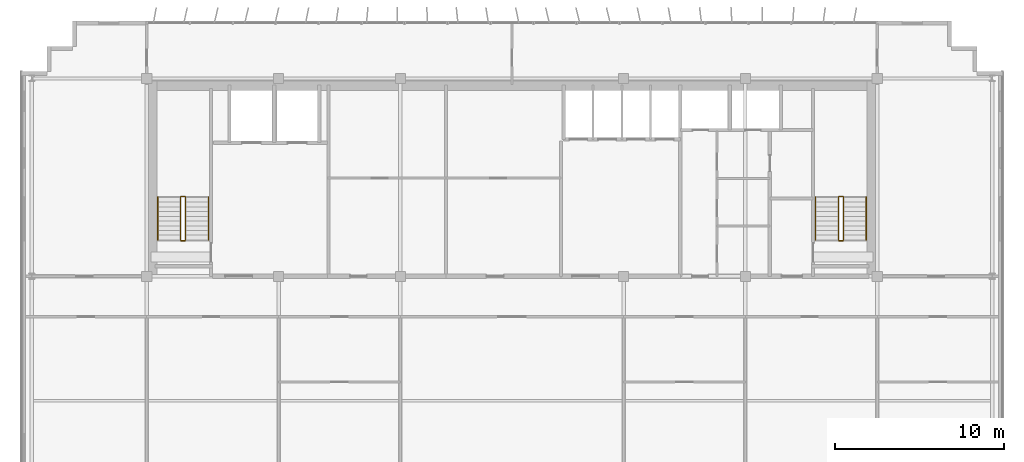
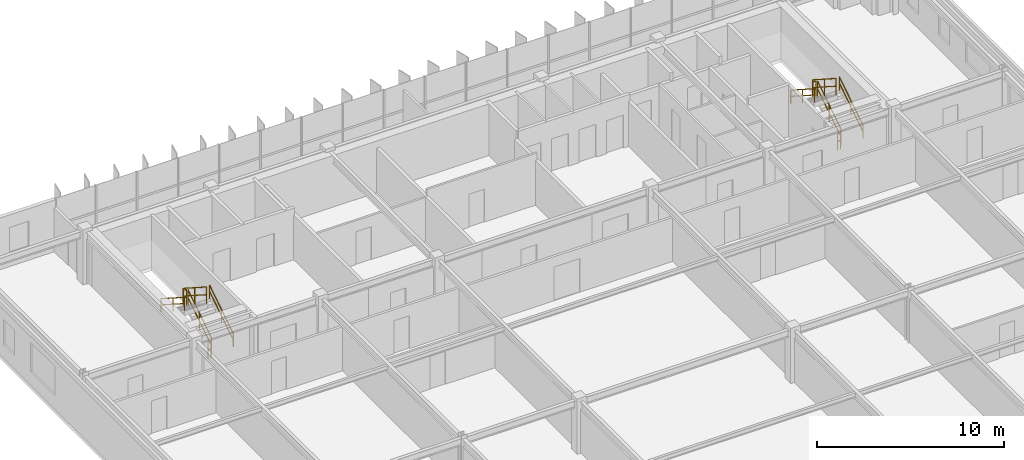
# One storey, part 21 of 21: 12 railings.
"""IFC4 building model written with IfcOpenShell, lengths in metres."""

from ifc_helpers import new_model, si_unit, direction, frame, origin, origin_2d, place, context, subcontext, project, spatial, rectangle, extrude, material, type_object, element, save


model = new_model("IFC4")

# Units and contexts
model_context = context("Model", 3, precision=1e-05, world=origin(), true_north=direction((0.0, 1.0)))
body_context = subcontext(model_context, "Body", "Model", "MODEL_VIEW")
ifc_project = project(units=[si_unit("LENGTHUNIT", "METRE"), si_unit("AREAUNIT", "SQUARE_METRE"), si_unit("VOLUMEUNIT", "CUBIC_METRE"), si_unit("PLANEANGLEUNIT", "RADIAN"), si_unit("MASSUNIT", "GRAM", prefix="KILO")], contexts=[model_context])

# Site, building, storey
site_placement = place(None, origin())
site = spatial("IfcSite", under=ifc_project, at=site_placement, CompositionType="ELEMENT")
building_placement = place(site_placement, origin())
building = spatial("IfcBuilding", under=site, at=building_placement, Name="Trelvane Seafront Commons", CompositionType="ELEMENT")
storey_placement = place(building_placement, frame((0.0, 0.0, 255.89990234375)))
storey = spatial("IfcBuildingStorey", under=building, at=storey_placement, Name="L66", CompositionType="ELEMENT", Elevation=255.89990234375)

# Railings
ifc_material = material(Name="Stainless steel balustrade", Category="steel")
railing_type_1 = type_object("IfcRailingType", Name="ARCH-SRL-GUARD", PredefinedType="GUARDRAIL", material=ifc_material)
railing_1_placement = place(storey_placement, frame((17.89990234375, 35.550048828125, 0.18017578125)))
element("IfcRailing", 1, at=railing_1_placement, inside=storey, type_object=railing_type_1, Name="L66 ST-1 stair guard 1", PredefinedType="GUARDRAIL", context=body_context, shape_type="SweptSolid", body=[
    extrude(rectangle(XDim=0.048095703125, YDim=0.048095703125, at=origin_2d()), frame((0.0, 0.0, 1.076171875), z_axis=(0.0, 0.841199657755, 0.540724639528), x_axis=(-1.0, 0.0, 0.0)), (0.0, 0.0, 1.0), 2.995849609375),
    extrude(rectangle(XDim=0.048095703125, YDim=0.048095703125, at=origin_2d()), frame((0.0, 0.0, 0.572021484375), z_axis=(0.0, 0.841199657755, 0.540724639528), x_axis=(-1.0, 0.0, 0.0)), (0.0, 0.0, 1.0), 2.995849609375),
    extrude(rectangle(XDim=0.0419921875, YDim=0.0419921875, at=origin_2d()), origin(), (0.0, 0.0, 1.0), 1.076171875),
    extrude(rectangle(XDim=0.0419921875, YDim=0.0419921875, at=origin_2d()), frame((0.0, 1.260009765625, 0.81005859375)), (0.0, 0.0, 1.0), 1.076171875),
    extrude(rectangle(XDim=0.0419921875, YDim=0.0419921875, at=origin_2d()), frame((0.0, 2.52001953125, 1.619873046875)), (0.0, 0.0, 1.0), 1.076171875),
])
railing_2_placement = place(storey_placement, frame((17.85009765625, 38.1201171875, 1.800048828125)))
element("IfcRailing", 2, at=railing_2_placement, inside=storey, type_object=railing_type_1, Name="L66 ST-1 stair guard 2", PredefinedType="GUARDRAIL", context=body_context, shape_type="SweptSolid", body=[
    extrude(rectangle(XDim=0.048095703125, YDim=0.048095703125, at=origin_2d()), frame((0.0, 0.0, 1.076171875), z_axis=(-1.0, 0.0, 0.0), x_axis=(0.0, -1.0, 0.0)), (0.0, 0.0, 1.0), 0.2001953125),
    extrude(rectangle(XDim=0.048095703125, YDim=0.048095703125, at=origin_2d()), frame((0.0, 0.0, 0.572021484375), z_axis=(-1.0, 0.0, 0.0), x_axis=(0.0, -1.0, 0.0)), (0.0, 0.0, 1.0), 0.2001953125),
    extrude(rectangle(XDim=0.0419921875, YDim=0.0419921875, at=origin_2d()), origin(), (0.0, 0.0, 1.0), 1.076171875),
    extrude(rectangle(XDim=0.0419921875, YDim=0.0419921875, at=origin_2d()), frame((-0.2001953125, 0.0, 0.0)), (0.0, 0.0, 1.0), 1.076171875),
])
railing_3_placement = place(storey_placement, frame((17.60009765625, 38.070068359375, 1.97998046875)))
element("IfcRailing", 3, at=railing_3_placement, inside=storey, type_object=railing_type_1, Name="L66 ST-1 stair guard 3", PredefinedType="GUARDRAIL", context=body_context, shape_type="SweptSolid", body=[
    extrude(rectangle(XDim=0.048095703125, YDim=0.048095703125, at=origin_2d()), frame((0.0, 0.0, 1.076171875), z_axis=(0.0, -0.841162588446, 0.540782303519), x_axis=(1.0, 0.0, 0.0)), (0.0, 0.0, 1.0), 2.995849609375),
    extrude(rectangle(XDim=0.048095703125, YDim=0.048095703125, at=origin_2d()), frame((0.0, 0.0, 0.572021484375), z_axis=(0.0, -0.841162588446, 0.540782303519), x_axis=(1.0, 0.0, 0.0)), (0.0, 0.0, 1.0), 2.995849609375),
    extrude(rectangle(XDim=0.0419921875, YDim=0.0419921875, at=origin_2d()), origin(), (0.0, 0.0, 1.0), 1.076171875),
    extrude(rectangle(XDim=0.0419921875, YDim=0.0419921875, at=origin_2d()), frame((0.0, -1.260009765625, 0.81005859375)), (0.0, 0.0, 1.0), 1.076171875),
    extrude(rectangle(XDim=0.0419921875, YDim=0.0419921875, at=origin_2d()), frame((0.0, -2.52001953125, 1.6201171875)), (0.0, 0.0, 1.0), 1.076171875),
])
railing_4_placement = place(storey_placement, frame((17.85009765625, 35.5, 0.0)))
element("IfcRailing", 4, at=railing_4_placement, inside=storey, type_object=railing_type_1, Name="L66 ST-1 stair guard 4", PredefinedType="GUARDRAIL", context=body_context, shape_type="SweptSolid", body=[
    extrude(rectangle(XDim=0.048095703125, YDim=0.048095703125, at=origin_2d()), frame((0.0, 0.0, 1.076171875), z_axis=(-1.0, 0.0, 0.0), x_axis=(0.0, -1.0, 0.0)), (0.0, 0.0, 1.0), 0.2001953125),
    extrude(rectangle(XDim=0.048095703125, YDim=0.048095703125, at=origin_2d()), frame((0.0, 0.0, 0.572021484375), z_axis=(-1.0, 0.0, 0.0), x_axis=(0.0, -1.0, 0.0)), (0.0, 0.0, 1.0), 0.2001953125),
    extrude(rectangle(XDim=0.0419921875, YDim=0.0419921875, at=origin_2d()), origin(), (0.0, 0.0, 1.0), 1.076171875),
    extrude(rectangle(XDim=0.0419921875, YDim=0.0419921875, at=origin_2d()), frame((-0.2001953125, 0.0, 0.0)), (0.0, 0.0, 1.0), 1.076171875),
])
railing_5_placement = place(storey_placement, frame((56.800048828125, 35.550048828125, 0.18017578125)))
element("IfcRailing", 5, at=railing_5_placement, inside=storey, type_object=railing_type_1, Name="L66 ST-2 stair guard 1", PredefinedType="GUARDRAIL", context=body_context, shape_type="SweptSolid", body=[
    extrude(rectangle(XDim=0.048095703125, YDim=0.048095703125, at=origin_2d()), frame((0.0, 0.0, 1.076171875), z_axis=(0.0, 0.841199657755, 0.540724639528), x_axis=(-1.0, 0.0, 0.0)), (0.0, 0.0, 1.0), 2.995849609375),
    extrude(rectangle(XDim=0.048095703125, YDim=0.048095703125, at=origin_2d()), frame((0.0, 0.0, 0.572021484375), z_axis=(0.0, 0.841199657755, 0.540724639528), x_axis=(-1.0, 0.0, 0.0)), (0.0, 0.0, 1.0), 2.995849609375),
    extrude(rectangle(XDim=0.0419921875, YDim=0.0419921875, at=origin_2d()), origin(), (0.0, 0.0, 1.0), 1.076171875),
    extrude(rectangle(XDim=0.0419921875, YDim=0.0419921875, at=origin_2d()), frame((0.0, 1.260009765625, 0.81005859375)), (0.0, 0.0, 1.0), 1.076171875),
    extrude(rectangle(XDim=0.0419921875, YDim=0.0419921875, at=origin_2d()), frame((0.0, 2.52001953125, 1.619873046875)), (0.0, 0.0, 1.0), 1.076171875),
])
railing_6_placement = place(storey_placement, frame((56.75, 38.1201171875, 1.800048828125)))
element("IfcRailing", 6, at=railing_6_placement, inside=storey, type_object=railing_type_1, Name="L66 ST-2 stair guard 2", PredefinedType="GUARDRAIL", context=body_context, shape_type="SweptSolid", body=[
    extrude(rectangle(XDim=0.048095703125, YDim=0.048095703125, at=origin_2d()), frame((0.0, 0.0, 1.076171875), z_axis=(-1.0, 0.0, 0.0), x_axis=(0.0, -1.0, 0.0)), (0.0, 0.0, 1.0), 0.199951171875),
    extrude(rectangle(XDim=0.048095703125, YDim=0.048095703125, at=origin_2d()), frame((0.0, 0.0, 0.572021484375), z_axis=(-1.0, 0.0, 0.0), x_axis=(0.0, -1.0, 0.0)), (0.0, 0.0, 1.0), 0.199951171875),
    extrude(rectangle(XDim=0.0419921875, YDim=0.0419921875, at=origin_2d()), origin(), (0.0, 0.0, 1.0), 1.076171875),
    extrude(rectangle(XDim=0.0419921875, YDim=0.0419921875, at=origin_2d()), frame((-0.199951171875, 0.0, 0.0)), (0.0, 0.0, 1.0), 1.076171875),
])
railing_7_placement = place(storey_placement, frame((56.5, 38.070068359375, 1.97998046875)))
element("IfcRailing", 7, at=railing_7_placement, inside=storey, type_object=railing_type_1, Name="L66 ST-2 stair guard 3", PredefinedType="GUARDRAIL", context=body_context, shape_type="SweptSolid", body=[
    extrude(rectangle(XDim=0.048095703125, YDim=0.048095703125, at=origin_2d()), frame((0.0, 0.0, 1.076171875), z_axis=(0.0, -0.841162588446, 0.540782303519), x_axis=(1.0, 0.0, 0.0)), (0.0, 0.0, 1.0), 2.995849609375),
    extrude(rectangle(XDim=0.048095703125, YDim=0.048095703125, at=origin_2d()), frame((0.0, 0.0, 0.572021484375), z_axis=(0.0, -0.841162588446, 0.540782303519), x_axis=(1.0, 0.0, 0.0)), (0.0, 0.0, 1.0), 2.995849609375),
    extrude(rectangle(XDim=0.0419921875, YDim=0.0419921875, at=origin_2d()), origin(), (0.0, 0.0, 1.0), 1.076171875),
    extrude(rectangle(XDim=0.0419921875, YDim=0.0419921875, at=origin_2d()), frame((0.0, -1.260009765625, 0.81005859375)), (0.0, 0.0, 1.0), 1.076171875),
    extrude(rectangle(XDim=0.0419921875, YDim=0.0419921875, at=origin_2d()), frame((0.0, -2.52001953125, 1.6201171875)), (0.0, 0.0, 1.0), 1.076171875),
])
railing_8_placement = place(storey_placement, frame((56.75, 35.5, 0.0)))
element("IfcRailing", 8, at=railing_8_placement, inside=storey, type_object=railing_type_1, Name="L66 ST-2 stair guard 4", PredefinedType="GUARDRAIL", context=body_context, shape_type="SweptSolid", body=[
    extrude(rectangle(XDim=0.048095703125, YDim=0.048095703125, at=origin_2d()), frame((0.0, 0.0, 1.076171875), z_axis=(-1.0, 0.0, 0.0), x_axis=(0.0, -1.0, 0.0)), (0.0, 0.0, 1.0), 0.199951171875),
    extrude(rectangle(XDim=0.048095703125, YDim=0.048095703125, at=origin_2d()), frame((0.0, 0.0, 0.572021484375), z_axis=(-1.0, 0.0, 0.0), x_axis=(0.0, -1.0, 0.0)), (0.0, 0.0, 1.0), 0.199951171875),
    extrude(rectangle(XDim=0.0419921875, YDim=0.0419921875, at=origin_2d()), origin(), (0.0, 0.0, 1.0), 1.076171875),
    extrude(rectangle(XDim=0.0419921875, YDim=0.0419921875, at=origin_2d()), frame((-0.199951171875, 0.0, 0.0)), (0.0, 0.0, 1.0), 1.076171875),
])
railing_type_2 = type_object("IfcRailingType", Name="ARCH-SRL-HAND", PredefinedType="HANDRAIL", material=ifc_material)
railing_9_placement = place(storey_placement, frame((19.25, 35.550048828125, 0.18017578125)))
element("IfcRailing", 9, at=railing_9_placement, inside=storey, type_object=railing_type_2, Name="L66 ST-1 stair handrail 1", PredefinedType="HANDRAIL", context=body_context, shape_type="SweptSolid", body=[
    extrude(rectangle(XDim=0.048095703125, YDim=0.048095703125, at=origin_2d()), frame((0.0, 0.0, 0.8759765625), z_axis=(0.0, 0.841199657755, 0.540724639528), x_axis=(-1.0, 0.0, 0.0)), (0.0, 0.0, 1.0), 2.995849609375),
    extrude(rectangle(XDim=0.048095703125, YDim=0.048095703125, at=origin_2d()), frame((0.0, 0.0, 0.468017578125), z_axis=(0.0, 0.841199657755, 0.540724639528), x_axis=(-1.0, 0.0, 0.0)), (0.0, 0.0, 1.0), 2.995849609375),
    extrude(rectangle(XDim=0.0419921875, YDim=0.0419921875, at=origin_2d()), origin(), (0.0, 0.0, 1.0), 0.8759765625),
    extrude(rectangle(XDim=0.0419921875, YDim=0.0419921875, at=origin_2d()), frame((0.0, 1.260009765625, 0.81005859375)), (0.0, 0.0, 1.0), 0.8759765625),
    extrude(rectangle(XDim=0.0419921875, YDim=0.0419921875, at=origin_2d()), frame((0.0, 2.52001953125, 1.619873046875)), (0.0, 0.0, 1.0), 0.8759765625),
])
railing_10_placement = place(storey_placement, frame((16.25, 38.070068359375, 1.97998046875)))
element("IfcRailing", 10, at=railing_10_placement, inside=storey, type_object=railing_type_2, Name="L66 ST-1 stair handrail 2", PredefinedType="HANDRAIL", context=body_context, shape_type="SweptSolid", body=[
    extrude(rectangle(XDim=0.048095703125, YDim=0.048095703125, at=origin_2d()), frame((0.0, 0.0, 0.8759765625), z_axis=(0.0, -0.841162588446, 0.540782303519), x_axis=(1.0, 0.0, 0.0)), (0.0, 0.0, 1.0), 2.995849609375),
    extrude(rectangle(XDim=0.048095703125, YDim=0.048095703125, at=origin_2d()), frame((0.0, 0.0, 0.468017578125), z_axis=(0.0, -0.841162588446, 0.540782303519), x_axis=(1.0, 0.0, 0.0)), (0.0, 0.0, 1.0), 2.995849609375),
    extrude(rectangle(XDim=0.0419921875, YDim=0.0419921875, at=origin_2d()), origin(), (0.0, 0.0, 1.0), 0.8759765625),
    extrude(rectangle(XDim=0.0419921875, YDim=0.0419921875, at=origin_2d()), frame((0.0, -1.260009765625, 0.81005859375)), (0.0, 0.0, 1.0), 0.8759765625),
    extrude(rectangle(XDim=0.0419921875, YDim=0.0419921875, at=origin_2d()), frame((0.0, -2.52001953125, 1.6201171875)), (0.0, 0.0, 1.0), 0.8759765625),
])
railing_11_placement = place(storey_placement, frame((58.14990234375, 35.550048828125, 0.18017578125)))
element("IfcRailing", 11, at=railing_11_placement, inside=storey, type_object=railing_type_2, Name="L66 ST-2 stair handrail 1", PredefinedType="HANDRAIL", context=body_context, shape_type="SweptSolid", body=[
    extrude(rectangle(XDim=0.048095703125, YDim=0.048095703125, at=origin_2d()), frame((0.0, 0.0, 0.8759765625), z_axis=(0.0, 0.841199657755, 0.540724639528), x_axis=(-1.0, 0.0, 0.0)), (0.0, 0.0, 1.0), 2.995849609375),
    extrude(rectangle(XDim=0.048095703125, YDim=0.048095703125, at=origin_2d()), frame((0.0, 0.0, 0.468017578125), z_axis=(0.0, 0.841199657755, 0.540724639528), x_axis=(-1.0, 0.0, 0.0)), (0.0, 0.0, 1.0), 2.995849609375),
    extrude(rectangle(XDim=0.0419921875, YDim=0.0419921875, at=origin_2d()), origin(), (0.0, 0.0, 1.0), 0.8759765625),
    extrude(rectangle(XDim=0.0419921875, YDim=0.0419921875, at=origin_2d()), frame((0.0, 1.260009765625, 0.81005859375)), (0.0, 0.0, 1.0), 0.8759765625),
    extrude(rectangle(XDim=0.0419921875, YDim=0.0419921875, at=origin_2d()), frame((0.0, 2.52001953125, 1.619873046875)), (0.0, 0.0, 1.0), 0.8759765625),
])
railing_12_placement = place(storey_placement, frame((55.14990234375, 38.070068359375, 1.97998046875)))
element("IfcRailing", 12, at=railing_12_placement, inside=storey, type_object=railing_type_2, Name="L66 ST-2 stair handrail 2", PredefinedType="HANDRAIL", context=body_context, shape_type="SweptSolid", body=[
    extrude(rectangle(XDim=0.048095703125, YDim=0.048095703125, at=origin_2d()), frame((0.0, 0.0, 0.8759765625), z_axis=(0.0, -0.841162588446, 0.540782303519), x_axis=(1.0, 0.0, 0.0)), (0.0, 0.0, 1.0), 2.995849609375),
    extrude(rectangle(XDim=0.048095703125, YDim=0.048095703125, at=origin_2d()), frame((0.0, 0.0, 0.468017578125), z_axis=(0.0, -0.841162588446, 0.540782303519), x_axis=(1.0, 0.0, 0.0)), (0.0, 0.0, 1.0), 2.995849609375),
    extrude(rectangle(XDim=0.0419921875, YDim=0.0419921875, at=origin_2d()), origin(), (0.0, 0.0, 1.0), 0.8759765625),
    extrude(rectangle(XDim=0.0419921875, YDim=0.0419921875, at=origin_2d()), frame((0.0, -1.260009765625, 0.81005859375)), (0.0, 0.0, 1.0), 0.8759765625),
    extrude(rectangle(XDim=0.0419921875, YDim=0.0419921875, at=origin_2d()), frame((0.0, -2.52001953125, 1.6201171875)), (0.0, 0.0, 1.0), 0.8759765625),
])

save(model, "model.ifc")
